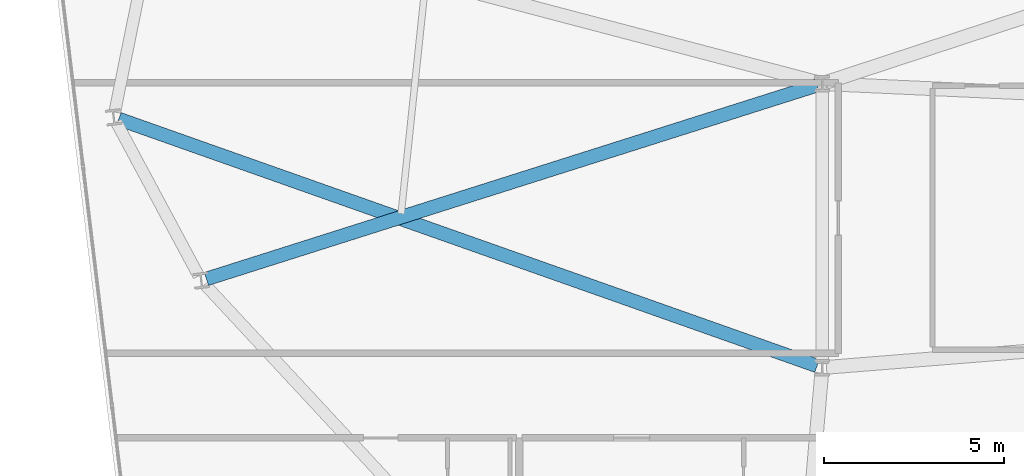
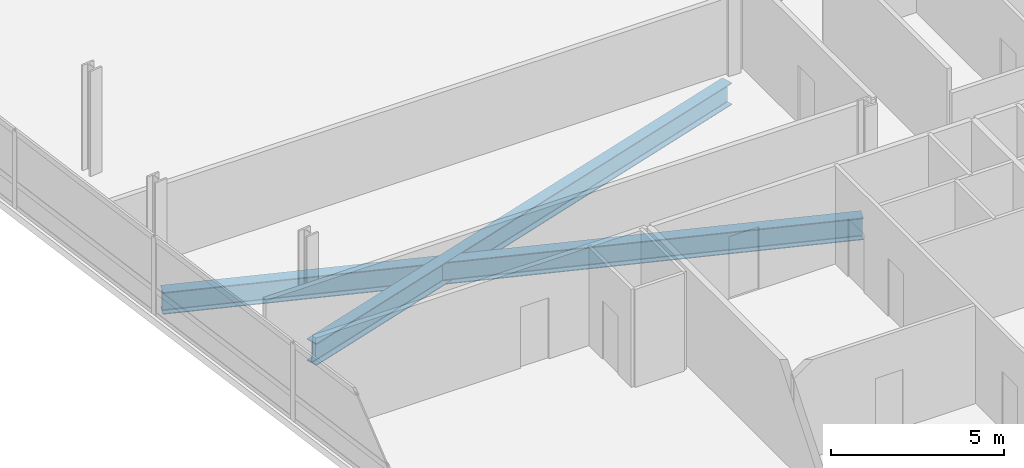
# One storey, part 5 of 23: 2 beams.
"""IFC4 building model written with IfcOpenShell, lengths in metres."""

from ifc_helpers import new_model, si_unit, direction, frame, origin, origin_2d, place, context, subcontext, project, spatial, i_section, extrude, material, material_profile, profile_set, type_object, element, save


model = new_model("IFC4")

# Units and contexts
model_context = context("Model", 3, precision=1e-05, world=origin(), true_north=direction((0.0, 1.0)))
body_context = subcontext(model_context, "Body", "Model", "MODEL_VIEW")
ifc_project = project(units=[si_unit("LENGTHUNIT", "METRE"), si_unit("AREAUNIT", "SQUARE_METRE"), si_unit("VOLUMEUNIT", "CUBIC_METRE"), si_unit("PLANEANGLEUNIT", "RADIAN"), si_unit("MASSUNIT", "GRAM", prefix="KILO")], contexts=[model_context])

# Site, building, storey
site_placement = place(None, origin())
site = spatial("IfcSite", under=ifc_project, at=site_placement, CompositionType="ELEMENT")
building_placement = place(site_placement, origin())
building = spatial("IfcBuilding", under=site, at=building_placement, Name="Varnelok Gate Tower", CompositionType="ELEMENT")
storey_placement = place(building_placement, frame((0.0, 0.0, 170.89990234375)))
storey = spatial("IfcBuildingStorey", under=building, at=storey_placement, Name="L43", CompositionType="ELEMENT", Elevation=170.89990234375)

# Beams
ifc_material = material(Name="Structural Steel ASTM A992 Grade 50", Category="steel")
ifc_material_profile = material_profile(ifc_material, i_section(OverallWidth=0.381103515625, OverallDepth=0.77294921875, WebThickness=0.0166015625, FlangeThickness=0.027099609375, FilletRadius=0.02197265625, at=origin_2d()), Name="W30X173")
ifc_profile_set = profile_set([ifc_material_profile], Name="Structural Steel ASTM A992 Grade 50")
beam_type = type_object("IfcBeamType", Name="BM-PRI-W30X173", PredefinedType="BEAM", material=ifc_profile_set)
beam_1_placement = place(storey_placement, frame((24.258544921875, 18.85009765625, -0.636474609375), z_axis=(-0.942837769657, 0.333252066923, 0.0), x_axis=(-0.333252066923, -0.942837769657, 0.0)))
element("IfcBeam", 1, at=beam_1_placement, inside=storey, type_object=beam_type, Name="L43 Radial Floor Girder 15", PredefinedType="BEAM", context=body_context, shape_type="SweptSolid", body=[
    extrude(i_section(OverallWidth=0.381103515625, OverallDepth=0.77294921875, WebThickness=0.0166015625, FlangeThickness=0.027099609375, FilletRadius=0.02197265625, at=origin_2d()), origin(), (0.0, 0.0, 1.0), 20.5458984375),
])
beam_2_placement = place(storey_placement, frame((24.257080078125, 26.634521484375, -0.636474609375), z_axis=(-0.953202154823, -0.302333676657, 0.0), x_axis=(0.302333676657, -0.953202154823, 0.0)))
element("IfcBeam", 2, at=beam_2_placement, inside=storey, type_object=beam_type, Name="L43 Radial Floor Girder 16", PredefinedType="BEAM", context=body_context, shape_type="SweptSolid", body=[
    extrude(i_section(OverallWidth=0.381103515625, OverallDepth=0.77294921875, WebThickness=0.0166015625, FlangeThickness=0.027099609375, FilletRadius=0.02197265625, at=origin_2d()), origin(), (0.0, 0.0, 1.0), 17.77099609375),
])

save(model, "model.ifc")
